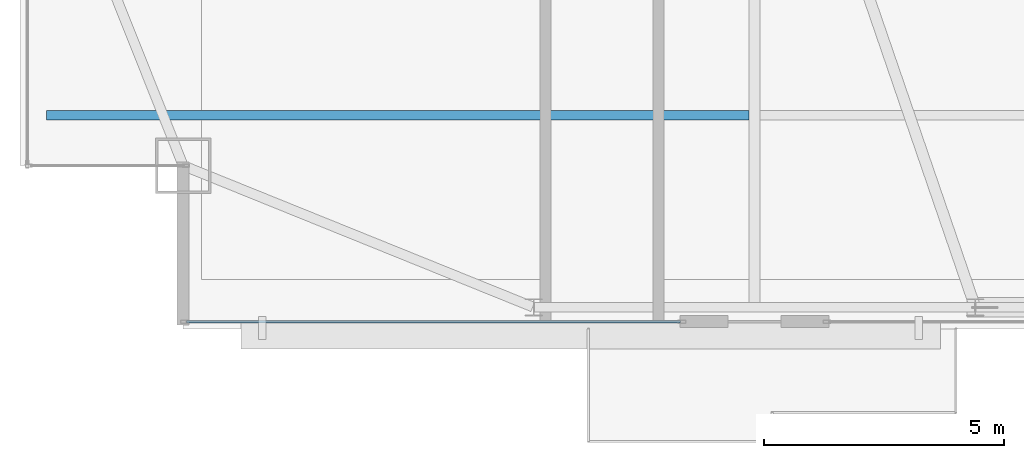
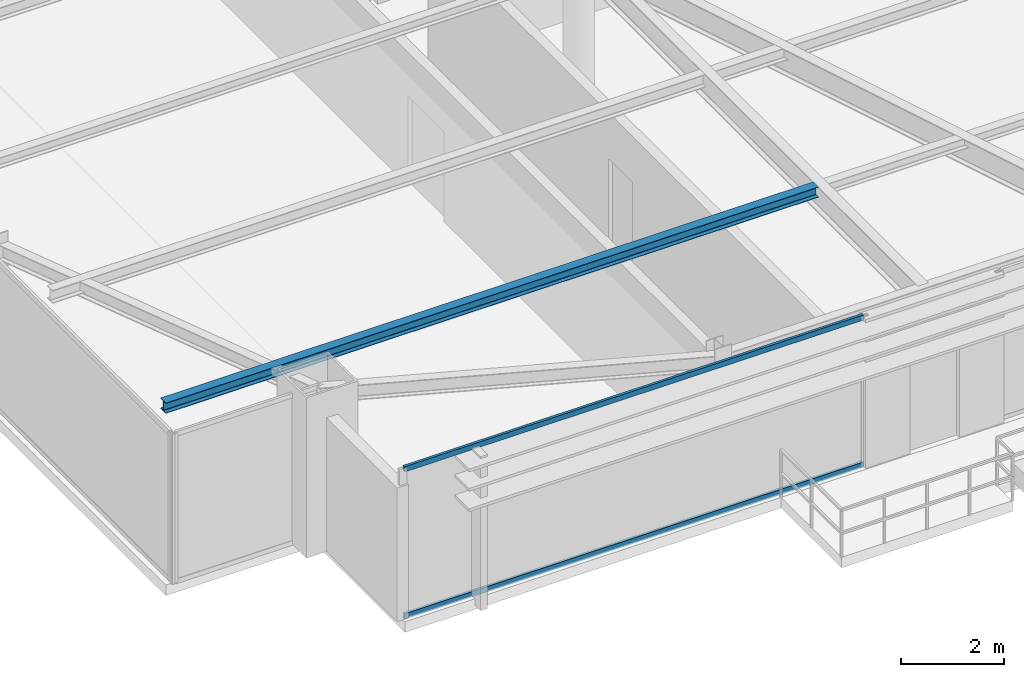
# One storey, part 5 of 31: 2 members, 1 beam, 1 element without a shape of its own.
"""IFC4 building model written with IfcOpenShell, lengths in metres."""

import ifcopenshell
import ifcopenshell.guid

model = None  # the IFC model being written
_history = None  # IfcOwnerHistory: only IFC2X3 demands one
_inside = {}  # id of a spatial element -> (the spatial element, [elements in it])
_under = {}  # id of a project, library or spatial element -> (it, [spatial elements below it])
_declared = {}  # id of a project -> (the project, [libraries it declares])
_typed = {}  # id of a type object -> (the type object, [elements of that type])
_made_of = {}  # id of a material, layer set ... -> (it, [elements and type objects made of it])


def new_model(schema):
    """Start an empty IFC model of exactly this schema.

    Asked for "IFC4X3", IfcOpenShell would pick the latest addendum, in which some entities
    have other attributes; the version numbers below select the first issue.
    IFC2X3 requires an IfcOwnerHistory on every rooted entity: one is made here for all.
    """
    global model, _history
    if schema == "IFC4X3":
        model = ifcopenshell.file(schema_version=(4, 3, 0, 0))
    else:
        model = ifcopenshell.file(schema=schema)
    _inside.clear()
    _under.clear()
    _declared.clear()
    _typed.clear()
    _made_of.clear()
    _history = None
    if model.schema == "IFC2X3":
        org = make("IfcOrganization", Name="unknown")
        user = make(
            "IfcPersonAndOrganization",
            ThePerson=make("IfcPerson", FamilyName="unknown"),
            TheOrganization=org,
        )
        app = make(
            "IfcApplication",
            ApplicationDeveloper=org,
            Version="unknown",
            ApplicationFullName="unknown",
            ApplicationIdentifier="unknown",
        )
        _history = make(
            "IfcOwnerHistory",
            OwningUser=user,
            OwningApplication=app,
            ChangeAction="ADDED",
            CreationDate=0,
        )
    return model


def make(cls, **values):
    """One entity of the class cls with the attributes given. An attribute that is None is left unset."""
    return model.create_entity(
        cls, **{name: value for name, value in values.items() if value is not None}
    )


def rooted(cls, **values):
    """An entity with a GlobalId (a new one), such as an element, a storey or a relation."""
    return make(cls, GlobalId=ifcopenshell.guid.new(), OwnerHistory=_history, **values)


def si_unit(unit_type, name, prefix=None):
    """IfcSIUnit, for example si_unit("LENGTHUNIT", "METRE", prefix="MILLI")."""
    return make("IfcSIUnit", UnitType=unit_type, Prefix=prefix, Name=name)


def assignment(units):
    """IfcUnitAssignment: the units of a project."""
    return None if units is None else make("IfcUnitAssignment", Units=units)


def point(xyz):
    """IfcCartesianPoint."""
    return None if xyz is None else make("IfcCartesianPoint", Coordinates=xyz)


def direction(xyz):
    """IfcDirection."""
    return None if xyz is None else make("IfcDirection", DirectionRatios=xyz)


def frame(location, z_axis=None, x_axis=None):
    """IfcAxis2Placement3D, a coordinate frame: its origin and axes. An axis left out is left unset."""
    return make(
        "IfcAxis2Placement3D",
        Location=point(location),
        Axis=direction(z_axis),
        RefDirection=direction(x_axis),
    )


def frame_2d(location, x_axis=None):
    """IfcAxis2Placement2D, a coordinate frame in the plane: its origin and x axis."""
    return make(
        "IfcAxis2Placement2D", Location=point(location), RefDirection=direction(x_axis)
    )


def origin():
    """The frame at (0, 0, 0) with its axes left unset."""
    return frame((0.0, 0.0, 0.0))


def origin_2d():
    """The frame at (0, 0) in the plane with its x axis left unset."""
    return frame_2d((0.0, 0.0))


def place(relative_to, where):
    """IfcLocalPlacement: puts the frame where relative to a parent placement (None: the world)."""
    return make(
        "IfcLocalPlacement", PlacementRelTo=relative_to, RelativePlacement=where
    )


def context(
    kind, dimensions, precision=None, world=None, true_north=None, identifier=None
):
    """IfcGeometricRepresentationContext, for example the 3D "Model" context."""
    return make(
        "IfcGeometricRepresentationContext",
        ContextIdentifier=identifier,
        ContextType=kind,
        CoordinateSpaceDimension=dimensions,
        Precision=precision,
        WorldCoordinateSystem=world,
        TrueNorth=true_north,
    )


def subcontext(parent, identifier, kind, view, scale=None):
    """IfcGeometricRepresentationSubContext, for example "Body" below "Model"."""
    return make(
        "IfcGeometricRepresentationSubContext",
        ContextIdentifier=identifier,
        ContextType=kind,
        ParentContext=parent,
        TargetScale=scale,
        TargetView=view,
    )


def project(units=None, contexts=None):
    """IfcProject with its units and contexts."""
    return rooted(
        "IfcProject",
        Name="project",
        RepresentationContexts=contexts,
        UnitsInContext=assignment(units),
    )


def spatial(cls, under=None, at=None, **own):
    """A site, building, storey or space (cls), placed at a placement, below another one or the project."""
    s = rooted(cls, ObjectPlacement=at, **own)
    if under is not None:
        _under.setdefault(under.id(), (under, []))[1].append(s)
    return s


def profile(cls, at=None, kind="AREA", **sizes):
    """A parametric profile (cls). Its sizes go by their IFC names, for example OverallWidth=200.0."""
    return make(cls, ProfileType=kind, Position=at, **sizes)


def hollow_rectangle(**sizes):
    """IfcRectangleHollowProfileDef."""
    return profile("IfcRectangleHollowProfileDef", **sizes)


def i_section(**sizes):
    """IfcIShapeProfileDef."""
    return profile("IfcIShapeProfileDef", **sizes)


def extrude(swept, where, along, depth):
    """IfcExtrudedAreaSolid: the profile swept, set in the frame where, extruded along a direction by depth."""
    return make(
        "IfcExtrudedAreaSolid",
        SweptArea=swept,
        Position=where,
        ExtrudedDirection=direction(along),
        Depth=depth,
    )


def shape(context_of_items, identifier, shape_type, items):
    """IfcShapeRepresentation: the items that make up one representation, for example the "Body"."""
    return make(
        "IfcShapeRepresentation",
        ContextOfItems=context_of_items,
        RepresentationIdentifier=identifier,
        RepresentationType=shape_type,
        Items=items,
    )


def source(mapping_origin, context_of_items, identifier, shape_type, items):
    """IfcRepresentationMap: a shape defined once, which mapped items show again and again."""
    return make(
        "IfcRepresentationMap",
        MappingOrigin=mapping_origin,
        MappedRepresentation=shape(context_of_items, identifier, shape_type, items),
    )


def transform(
    local_origin,
    x_axis=None,
    y_axis=None,
    z_axis=None,
    scale=None,
    scale2=None,
    scale3=None,
    uniform=True,
):
    """IfcCartesianTransformationOperator3D, or its non-uniform kind. x_axis, y_axis, z_axis: its Axis1, 2, 3."""
    if uniform:
        return make(
            "IfcCartesianTransformationOperator3D",
            Axis1=direction(x_axis),
            Axis2=direction(y_axis),
            LocalOrigin=point(local_origin),
            Scale=scale,
            Axis3=direction(z_axis),
        )
    return make(
        "IfcCartesianTransformationOperator3DnonUniform",
        Axis1=direction(x_axis),
        Axis2=direction(y_axis),
        LocalOrigin=point(local_origin),
        Scale=scale,
        Axis3=direction(z_axis),
        Scale2=scale2,
        Scale3=scale3,
    )


def mapped(mapping_source, mapping_target):
    """IfcMappedItem: shows the shape of a source again, moved by a transform."""
    return make(
        "IfcMappedItem", MappingSource=mapping_source, MappingTarget=mapping_target
    )


def material(Name=None, Category=None):
    """IfcMaterial."""
    return make("IfcMaterial", Name=Name, Category=Category)


def layer(
    of_material, thickness, ventilated=None, Name=None, Category=None, Priority=None
):
    """IfcMaterialLayer: one layer of a wall or slab, of a material (None: an air gap)."""
    return make(
        "IfcMaterialLayer",
        Material=of_material,
        LayerThickness=thickness,
        IsVentilated=ventilated,
        Name=Name,
        Category=Category,
        Priority=Priority,
    )


def layer_set(layers, Name=None):
    """IfcMaterialLayerSet."""
    return make("IfcMaterialLayerSet", MaterialLayers=layers, LayerSetName=Name)


def material_profile(
    of_material, cross_section, Name=None, Category=None, Priority=None
):
    """IfcMaterialProfile: a cross section and its material."""
    return make(
        "IfcMaterialProfile",
        Name=Name,
        Material=of_material,
        Profile=cross_section,
        Priority=Priority,
        Category=Category,
    )


def profile_set(profiles, Name=None, composite=None):
    """IfcMaterialProfileSet."""
    return make(
        "IfcMaterialProfileSet",
        Name=Name,
        MaterialProfiles=profiles,
        CompositeProfile=composite,
    )


def made_of(thing, what):
    """Note that an element or type object is made of a material, layer set ...; save() writes the relation."""
    if what is not None:
        _made_of.setdefault(what.id(), (what, []))[1].append(thing)
    return thing


def type_object(cls, material=None, **own):
    """A type object (cls), such as IfcWallType, which elements share."""
    return made_of(rooted(cls, **own), material)


def type_shapes(of_type, sources):
    """Give a type object the sources (RepresentationMaps) that its elements show as mapped items."""
    of_type.RepresentationMaps = sources


def element(
    cls,
    number,
    at=None,
    inside=None,
    cuts=None,
    type_object=None,
    material=None,
    context=None,
    identifier="Body",
    shape_type=None,
    held_by="IfcProductDefinitionShape",
    body=None,
    shapes=None,
    **own,
):
    """One element of the class cls, such as IfcWall. Its Tag is "e" and its number.

    at: its placement. inside: the storey or other place that contains it. cuts: it is an
    opening in that element (IfcRelVoidsElement). A single representation is given by context,
    identifier, shape_type and body (its items); several are given by shapes. held_by: the class
    of the entity that holds the representations. save() writes the other relations.
    """
    e = rooted(cls, Tag="e%d" % number, ObjectPlacement=at, **own)
    if body is not None:
        shapes = [shape(context, identifier, shape_type, body)]
    if shapes is not None:
        e.Representation = make(held_by, Representations=shapes)
    if inside is not None:
        _inside.setdefault(inside.id(), (inside, []))[1].append(e)
    if cuts is not None:
        rooted(
            "IfcRelVoidsElement", RelatingBuildingElement=cuts, RelatedOpeningElement=e
        )
    if type_object is not None:
        _typed.setdefault(type_object.id(), (type_object, []))[1].append(e)
    return made_of(e, material)


def aggregate(whole, parts):
    """IfcRelAggregates: a whole, such as a stair, and the parts it consists of."""
    return rooted("IfcRelAggregates", RelatingObject=whole, RelatedObjects=parts)


def save(model, path):
    """Write the relations noted so far, then the file.

    IfcRelAggregates (storeys below a building ...), IfcRelContainedInSpatialStructure (elements
    in a storey), IfcRelDefinesByType, IfcRelAssociatesMaterial and IfcRelDeclares: one each for
    every whole, place, type object, material and project.
    """
    for whole, parts in _under.values():
        aggregate(whole, parts)
    for where, things in _inside.values():
        rooted(
            "IfcRelContainedInSpatialStructure",
            RelatedElements=things,
            RelatingStructure=where,
        )
    for kind, things in _typed.values():
        rooted("IfcRelDefinesByType", RelatedObjects=things, RelatingType=kind)
    for what, things in _made_of.values():
        rooted("IfcRelAssociatesMaterial", RelatedObjects=things, RelatingMaterial=what)
    for by, libraries in _declared.values():
        rooted("IfcRelDeclares", RelatingContext=by, RelatedDefinitions=libraries)
    model.write(path)


model = new_model("IFC4")

# Units and contexts
model_context = context("Model", 3, precision=1e-05, world=origin(), true_north=direction((0.0, 1.0)))
body_context = subcontext(model_context, "Body", "Model", "MODEL_VIEW")
ifc_project = project(units=[si_unit("LENGTHUNIT", "METRE"), si_unit("AREAUNIT", "SQUARE_METRE"), si_unit("VOLUMEUNIT", "CUBIC_METRE"), si_unit("PLANEANGLEUNIT", "RADIAN"), si_unit("MASSUNIT", "GRAM", prefix="KILO")], contexts=[model_context])

# Site, building, storey
site_placement = place(None, origin())
site = spatial("IfcSite", under=ifc_project, at=site_placement, CompositionType="ELEMENT")
building_placement = place(site_placement, origin())
building = spatial("IfcBuilding", under=site, at=building_placement, Name="Varnel Quay Broadcast Tower", CompositionType="ELEMENT")
storey_placement = place(building_placement, frame((0.0, 0.0, 239.39990234375)))
storey = spatial("IfcBuildingStorey", under=building, at=storey_placement, Name="L59", CompositionType="ELEMENT", Elevation=239.39990234375)

# Beam
ifc_material_1 = material(Name="Structural Steel CSA G40.21 350W", Category="steel")
ifc_material_profile_1 = material_profile(ifc_material_1, i_section(OverallWidth=0.201904296875, OverallDepth=0.2470703125, WebThickness=0.00732421875, FlangeThickness=0.010986328125, FilletRadius=0.010986328125, at=origin_2d()), Name="W250X49")
ifc_profile_set_1 = profile_set([ifc_material_profile_1], Name="Structural Steel CSA G40.21 350W")
beam_type = type_object("IfcBeamType", Name="Beam_W250X49", PredefinedType="JOIST", material=ifc_profile_set_1)
shared_shape_1 = source(origin(), body_context, "Body", "SweptSolid", [
    extrude(i_section(OverallWidth=0.201904296875, OverallDepth=0.2470703125, WebThickness=0.00732421875, FlangeThickness=0.010986328125, FilletRadius=0.010986328125, at=origin_2d()), origin(), (0.0, 0.0, 1.0), 14.642333984375),
])
type_shapes(beam_type, [shared_shape_1])
beam_placement = place(storey_placement, frame((10.047607421875, 14.64990234375, 3.426513671875), z_axis=(1.0, 0.0, 0.0), x_axis=(0.0, 1.0, 0.0)))
element("IfcBeam", 1, at=beam_placement, inside=storey, type_object=beam_type, Name="L59 West Floor Joist 1", PredefinedType="JOIST", context=body_context, shape_type="MappedRepresentation", body=[
    mapped(shared_shape_1, transform((0.0, 0.0, 0.0), x_axis=(1.0, 0.0, 0.0), y_axis=(0.0, 1.0, 0.0), z_axis=(0.0, 0.0, 1.0), scale=1.0)),
])

# Curtain wall, members
ifc_material_2 = material(Name="Anodised Bronze Aluminium 6063-T6", Category="aluminium")
ifc_layer = layer(ifc_material_2, 0.18994140625, Name="Anodised Bronze Aluminium 6063-T6")
ifc_layer_set = layer_set([ifc_layer], Name="Anodised Bronze Aluminium 6063-T6")
curtain_wall_type = type_object("IfcCurtainWallType", Name="CW_UpperTower", PredefinedType="NOTDEFINED", material=ifc_layer_set)
curtain_wall_placement = place(storey_placement, origin())
curtain_wall = element("IfcCurtainWall", 2, at=curtain_wall_placement, inside=storey, type_object=curtain_wall_type, Name="L59 South Unitised Curtain Wall 1", PredefinedType="NOTDEFINED")
ifc_material_profile_2 = material_profile(ifc_material_2, hollow_rectangle(XDim=0.06005859375, YDim=0.125, WallThickness=0.0029296875, at=origin_2d()), Name="ALU60X125X3")
ifc_profile_set_2 = profile_set([ifc_material_profile_2], Name="Anodised Bronze Aluminium 6063-T6")
member_type = type_object("IfcMemberType", Name="Tran_CWS-03", PredefinedType="USERDEFINED", material=ifc_profile_set_2)
shared_shape_2 = source(origin(), body_context, "Body", "SweptSolid", [
    extrude(hollow_rectangle(XDim=0.06005859375, YDim=0.125, WallThickness=0.0029296875, at=origin_2d()), origin(), (0.0, 0.0, 1.0), 10.289794921875),
])
type_shapes(member_type, [shared_shape_2])
member_1_placement = place(storey_placement, frame((12.965087890625, 10.35009765625, 0.030029296875), z_axis=(1.0, 0.0, 0.0), x_axis=(0.0, 1.0, 0.0)))
member_1 = element("IfcMember", 3, at=member_1_placement, type_object=member_type, Name="CWS-03 transom 1.1", ObjectType="TRANSOM", PredefinedType="USERDEFINED", context=body_context, shape_type="MappedRepresentation", body=[
    mapped(shared_shape_2, transform((0.0, 0.0, 0.0), x_axis=(1.0, 0.0, 0.0), y_axis=(0.0, 1.0, 0.0), z_axis=(0.0, 0.0, 1.0), scale=1.0)),
])
member_2_placement = place(storey_placement, frame((12.965087890625, 10.35009765625, 3.52001953125), z_axis=(1.0, 0.0, 0.0), x_axis=(0.0, 1.0, 0.0)))
member_2 = element("IfcMember", 4, at=member_2_placement, type_object=member_type, Name="CWS-03 transom 1.2", ObjectType="TRANSOM", PredefinedType="USERDEFINED", context=body_context, shape_type="MappedRepresentation", body=[
    mapped(shared_shape_2, transform((0.0, 0.0, 0.0), x_axis=(1.0, 0.0, 0.0), y_axis=(0.0, 1.0, 0.0), z_axis=(0.0, 0.0, 1.0), scale=1.0)),
])
aggregate(curtain_wall, [member_1, member_2])

save(model, "model.ifc")
